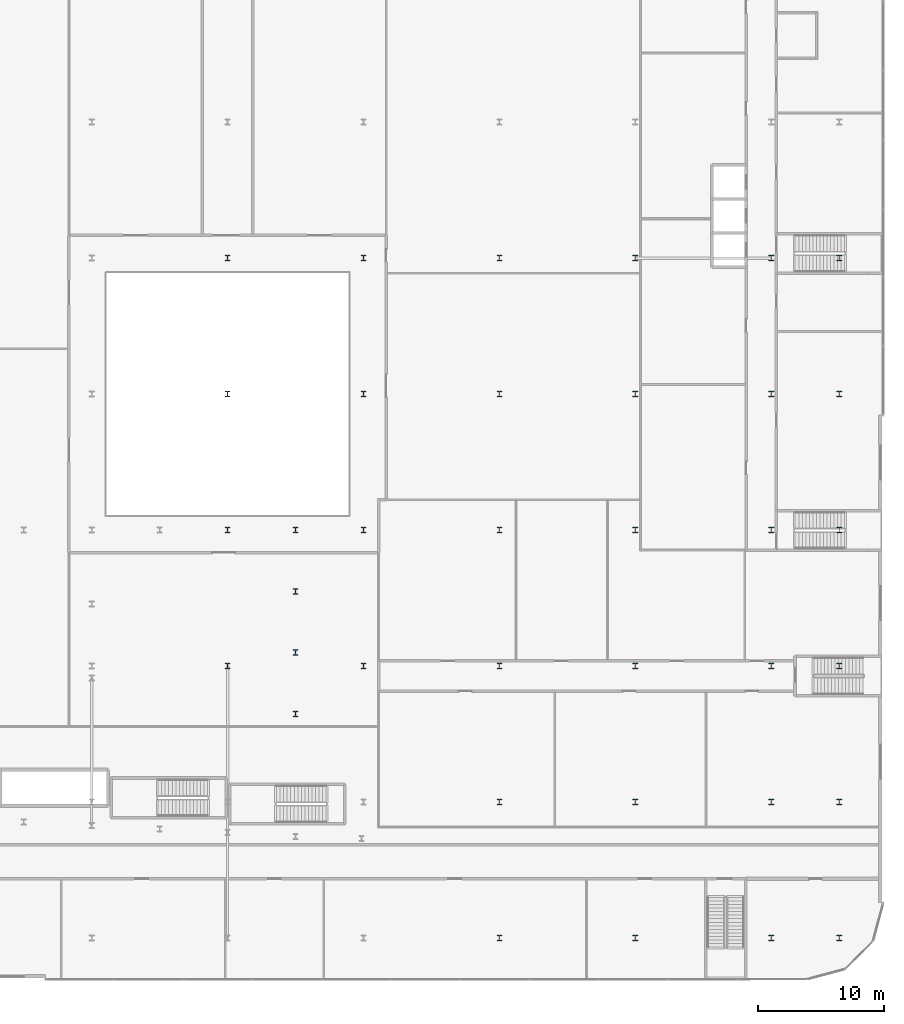
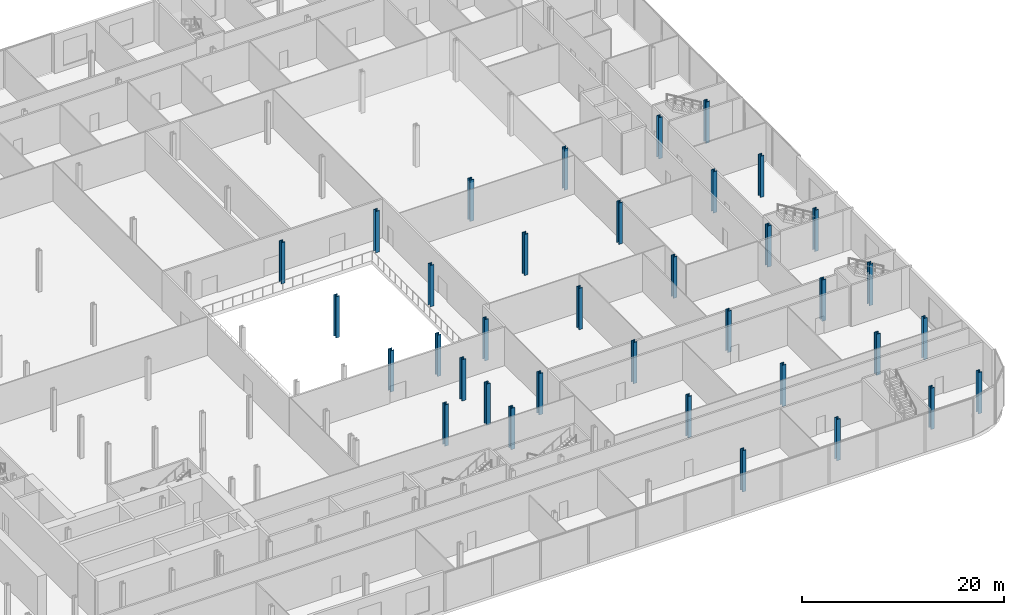
# One storey, part 2 of 47: 36 columns.
"""IFC4 building model written with IfcOpenShell, lengths in metres."""

from ifc_helpers import new_model, si_unit, direction, frame, origin, origin_2d, place, context, subcontext, project, spatial, i_section, extrude, material, material_profile, profile_set, type_object, element, save


model = new_model("IFC4")

# Units and contexts
model_context = context("Model", 3, precision=1e-05, world=origin(), true_north=direction((0.0, 1.0)))
body_context = subcontext(model_context, "Body", "Model", "MODEL_VIEW")
ifc_project = project(units=[si_unit("LENGTHUNIT", "METRE"), si_unit("AREAUNIT", "SQUARE_METRE"), si_unit("VOLUMEUNIT", "CUBIC_METRE"), si_unit("PLANEANGLEUNIT", "RADIAN"), si_unit("MASSUNIT", "GRAM", prefix="KILO")], contexts=[model_context])

# Site, building, storey
site_placement = place(None, origin())
site = spatial("IfcSite", under=ifc_project, at=site_placement, CompositionType="ELEMENT")
building_placement = place(site_placement, origin())
building = spatial("IfcBuilding", under=site, at=building_placement, Name="Kheshtan School and Residences Tower", CompositionType="ELEMENT")
storey_placement = place(building_placement, frame((0.0, 0.0, 7.5)))
storey = spatial("IfcBuildingStorey", under=building, at=storey_placement, Name="L01", CompositionType="ELEMENT", Elevation=7.5)

# Columns
ifc_material = material(Name="Steel ASTM A992 Grade 50", Category="steel")
ifc_material_profile = material_profile(ifc_material, i_section(OverallWidth=0.424072265625, OverallDepth=0.47412109375, WebThickness=0.047607421875, FlangeThickness=0.0771484375, FilletRadius=0.01416015625, at=origin_2d()), Name="W360x634")
ifc_profile_set = profile_set([ifc_material_profile], Name="Steel ASTM A992 Grade 50")
column_type = type_object("IfcColumnType", Name="Column PC1 W360x634 ASTM A992 Grade 50", PredefinedType="COLUMN", material=ifc_profile_set)
for number, where, z_axis, x_axis, name in (
    (1, (101.60009765625, 13.199951171875, 0.0), (0.0, 0.0, 1.0), (1.0, 0.0, 0.0), "Column P-009"),
    (2, (112.39990234375, 13.199951171875, 0.0), (0.0, 0.0, 1.0), (1.0, 0.0, 0.0), "Column P-010"),
    (3, (123.199951171875, 13.199951171875, 0.0), (0.0, 0.0, 1.0), (1.0, 0.0, 0.0), "Column P-011"),
    (4, (128.60009765625, 13.199951171875, 0.0), (0.0, 0.0, 1.0), (1.0, 0.0, 0.0), "Column P-012"),
    (5, (101.60009765625, 24.0, 0.0), (0.0, 0.0, 1.0), (1.0, 0.0, 0.0), "Column P-021"),
    (6, (112.39990234375, 24.0, 0.0), (0.0, 0.0, 1.0), (1.0, 0.0, 0.0), "Column P-022"),
    (7, (123.199951171875, 24.0, 0.0), (0.0, 0.0, 1.0), (1.0, 0.0, 0.0), "Column P-023"),
    (8, (128.60009765625, 24.0, 0.0), (0.0, 0.0, 1.0), (1.0, 0.0, 0.0), "Column P-024"),
    (9, (80.0, 34.800048828125, 0.0), (0.0, 0.0, 1.0), (1.0, 0.0, 0.0), "Column P-031"),
    (10, (90.800048828125, 34.800048828125, 0.0), (0.0, 0.0, 1.0), (1.0, 0.0, 0.0), "Column P-032"),
    (11, (101.60009765625, 34.800048828125, 0.0), (0.0, 0.0, 1.0), (1.0, 0.0, 0.0), "Column P-033"),
    (12, (112.39990234375, 34.800048828125, 0.0), (0.0, 0.0, 1.0), (1.0, 0.0, 0.0), "Column P-034"),
    (13, (123.199951171875, 34.800048828125, 0.0), (0.0, 0.0, 1.0), (1.0, 0.0, 0.0), "Column P-035"),
    (14, (128.60009765625, 34.800048828125, 0.0), (0.0, 0.0, 1.0), (1.0, 0.0, 0.0), "Column P-036"),
    (15, (80.0, 45.60009765625, 0.0), (0.0, 0.0, 1.0), (1.0, 0.0, 0.0), "Column P-043"),
    (16, (90.800048828125, 45.60009765625, 0.0), (0.0, 0.0, 1.0), (1.0, 0.0, 0.0), "Column P-044"),
    (17, (101.60009765625, 45.60009765625, 0.0), (0.0, 0.0, 1.0), (1.0, 0.0, 0.0), "Column P-045"),
    (18, (112.39990234375, 45.60009765625, 0.0), (0.0, 0.0, 1.0), (1.0, 0.0, 0.0), "Column P-046"),
    (19, (123.199951171875, 45.60009765625, 0.0), (0.0, 0.0, 1.0), (1.0, 0.0, 0.0), "Column P-047"),
    (20, (128.60009765625, 45.60009765625, 0.0), (0.0, 0.0, 1.0), (1.0, 0.0, 0.0), "Column P-048"),
    (21, (80.0, 56.39990234375, 0.0), (0.0, 0.0, 1.0), (1.0, 0.0, 0.0), "Column P-055"),
    (22, (90.800048828125, 56.39990234375, 0.0), (0.0, 0.0, 1.0), (1.0, 0.0, 0.0), "Column P-056"),
    (23, (101.60009765625, 56.39990234375, 0.0), (0.0, 0.0, 1.0), (1.0, 0.0, 0.0), "Column P-057"),
    (24, (112.39990234375, 56.39990234375, 0.0), (0.0, 0.0, 1.0), (1.0, 0.0, 0.0), "Column P-058"),
    (25, (123.199951171875, 56.39990234375, 0.0), (0.0, 0.0, 1.0), (1.0, 0.0, 0.0), "Column P-059"),
    (26, (128.60009765625, 56.39990234375, 0.0), (0.0, 0.0, 1.0), (1.0, 0.0, 0.0), "Column P-060"),
    (27, (80.0, 67.199951171875, 0.0), (0.0, 0.0, 1.0), (1.0, 0.0, 0.0), "Column P-067"),
    (28, (90.800048828125, 67.199951171875, 0.0), (0.0, 0.0, 1.0), (1.0, 0.0, 0.0), "Column P-068"),
    (29, (101.60009765625, 67.199951171875, 0.0), (0.0, 0.0, 1.0), (1.0, 0.0, 0.0), "Column P-069"),
    (30, (112.39990234375, 67.199951171875, 0.0), (0.0, 0.0, 1.0), (1.0, 0.0, 0.0), "Column P-070"),
    (31, (123.199951171875, 67.199951171875, 0.0), (0.0, 0.0, 1.0), (1.0, 0.0, 0.0), "Column P-071"),
    (32, (128.60009765625, 67.199951171875, 0.0), (0.0, 0.0, 1.0), (1.0, 0.0, 0.0), "Column P-072"),
    (33, (85.39990234375, 45.60009765625, 0.0), (0.0, 0.0, 1.0), (1.0, 0.0, 0.0), "Transfer column X19"),
    (34, (85.39990234375, 31.0, 0.0), (0.0, 0.0, 1.0), (1.0, 0.0, 0.0), "Transfer column X35"),
    (35, (85.39990234375, 35.8701171875, 0.0), (0.0, 0.0, 1.0), (1.0, 0.0, 0.0), "Transfer column X38"),
    (36, (85.39990234375, 40.72998046875, 0.0), (0.0, 0.0, 1.0), (1.0, 0.0, 0.0), "Transfer column X41"),
):
    element("IfcColumn", number, at=place(storey_placement, frame(where, z_axis=z_axis, x_axis=x_axis)), inside=storey, type_object=column_type, Name=name, PredefinedType="COLUMN", context=body_context, shape_type="SweptSolid", body=[
        extrude(i_section(OverallWidth=0.424072265625, OverallDepth=0.47412109375, WebThickness=0.047607421875, FlangeThickness=0.0771484375, FilletRadius=0.01416015625, at=origin_2d()), origin(), (0.0, 0.0, 1.0), 5.0),
    ])

save(model, "model.ifc")
